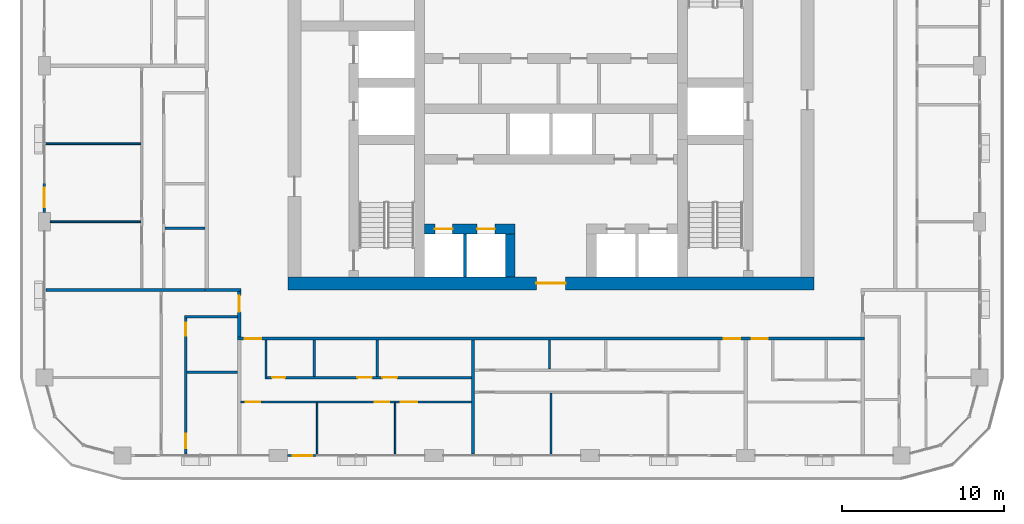
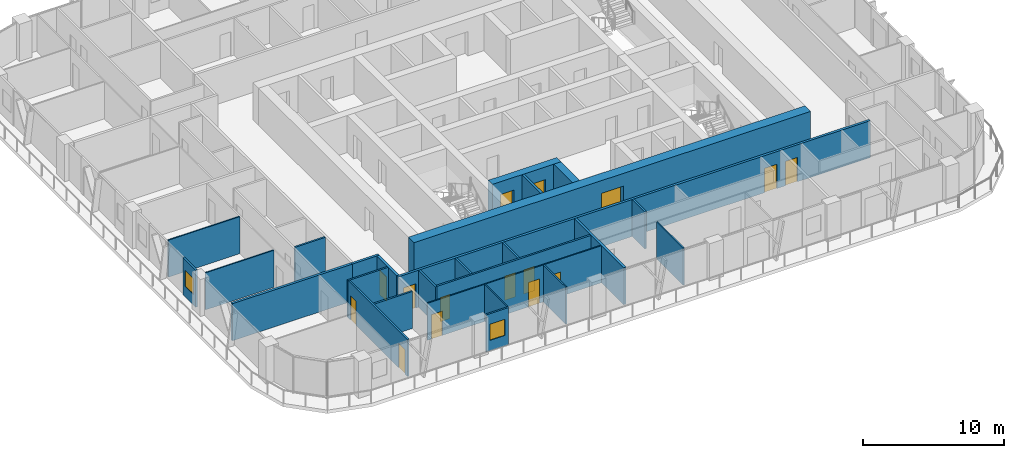
# One storey, part 9 of 22: 26 walls, 15 doors, 2 windows, 17 openings.
"""IFC4 building model written with IfcOpenShell, lengths in metres."""

from ifc_helpers import new_model, si_unit, direction, frame, frame_2d, origin, place, context, subcontext, project, spatial, rectangle, extrude, material, layer, layer_set, type_object, element, fill, save


model = new_model("IFC4")

# Units and contexts
model_context = context("Model", 3, precision=1e-05, world=origin(), true_north=direction((0.0, 1.0)))
body_context = subcontext(model_context, "Body", "Model", "MODEL_VIEW")
ifc_project = project(units=[si_unit("LENGTHUNIT", "METRE"), si_unit("AREAUNIT", "SQUARE_METRE"), si_unit("VOLUMEUNIT", "CUBIC_METRE"), si_unit("PLANEANGLEUNIT", "RADIAN"), si_unit("MASSUNIT", "GRAM", prefix="KILO")], contexts=[model_context])

# Site, building, storey
site_placement = place(None, origin())
site = spatial("IfcSite", under=ifc_project, at=site_placement, CompositionType="ELEMENT")
building_placement = place(site_placement, origin())
building = spatial("IfcBuilding", under=site, at=building_placement, Name="Madar Terraces", CompositionType="ELEMENT")
storey_placement = place(building_placement, frame((0.0, 0.0, 126.10009765625)))
storey = spatial("IfcBuildingStorey", under=building, at=storey_placement, Name="L32", CompositionType="ELEMENT", Elevation=126.10009765625)

# Wall, openings, doors
ifc_material_1 = material(Name="Concrete C70/85", Category="concrete")
ifc_layer_1 = layer(ifc_material_1, 0.60009765625)
ifc_layer_set_1 = layer_set([ifc_layer_1], Name="Concrete C70/85 (CIW3 RC wall 600)")
wall_type_1 = type_object("IfcWallType", Name="CIW3 RC wall 600", PredefinedType="SHEAR", material=ifc_layer_set_1)
wall_1_placement = place(storey_placement, frame((23.39990234375, 18.75, 0.0), z_axis=(0.0, 0.0, 1.0), x_axis=(1.0, 0.0, 0.0)))
wall_1 = element("IfcWall", 1, at=wall_1_placement, inside=storey, type_object=wall_type_1, Name="CORE SHAFT WALL", PredefinedType="SHEAR", context=body_context, shape_type="SweptSolid", body=[
    extrude(rectangle(XDim=5.60009765625, YDim=0.60009765625, at=frame_2d((2.800048828125, 0.0))), origin(), (0.0, 0.0, 1.0), 3.199951171875),
])
opening_1_placement = place(wall_1_placement, frame((0.64990234375, 0.0, 0.0)))
opening_1 = element("IfcOpeningElement", 2, at=opening_1_placement, cuts=wall_1, Name="Opening LD", PredefinedType="OPENING", context=body_context, shape_type="SweptSolid", body=[
    extrude(rectangle(XDim=1.10009765625, YDim=2.10009765625, at=frame_2d((0.550048828125, 1.050048828125))), frame((0.0, 0.31005859375, 0.0), z_axis=(0.0, -1.0, 0.0), x_axis=(1.0, 0.0, 0.0)), (0.0, 0.0, 1.0), 0.6201171875),
])
opening_2_placement = place(wall_1_placement, frame((3.25, 0.0, 0.0)))
opening_2 = element("IfcOpeningElement", 3, at=opening_2_placement, cuts=wall_1, Name="Opening LD", PredefinedType="OPENING", context=body_context, shape_type="SweptSolid", body=[
    extrude(rectangle(XDim=1.10009765625, YDim=2.10009765625, at=frame_2d((0.550048828125, 1.050048828125))), frame((0.0, 0.31005859375, 0.0), z_axis=(0.0, -1.0, 0.0), x_axis=(1.0, 0.0, 0.0)), (0.0, 0.0, 1.0), 0.6201171875),
])
ifc_material_2 = material(Name="Stainless steel panel", Category="steel")
door_type_1 = type_object("IfcDoorType", Name="Lift landing door 1100 x 2100", OperationType="DOUBLE_DOOR_SLIDING", PredefinedType="DOOR", material=ifc_material_2)
door_1_placement = place(opening_1_placement, origin())
door_1 = element("IfcDoor", 4, at=door_1_placement, inside=storey, type_object=door_type_1, Name="LIFT LANDING DOOR", OperationType="DOUBLE_DOOR_SLIDING", OverallHeight=2.10009765625, OverallWidth=1.10009765625, PredefinedType="DOOR", context=body_context, shape_type="SweptSolid", body=[
    extrude(rectangle(XDim=1.10009765625, YDim=2.10009765625, at=frame_2d((0.550048828125, 1.050048828125))), frame((0.0, 0.02490234375, 0.0), z_axis=(0.0, -1.0, 0.0), x_axis=(1.0, 0.0, 0.0)), (0.0, 0.0, 1.0), 0.050048828125),
])
fill(opening_1, door_1)
door_2_placement = place(opening_2_placement, origin())
door_2 = element("IfcDoor", 5, at=door_2_placement, inside=storey, type_object=door_type_1, Name="LIFT LANDING DOOR", OperationType="DOUBLE_DOOR_SLIDING", OverallHeight=2.10009765625, OverallWidth=1.10009765625, PredefinedType="DOOR", context=body_context, shape_type="SweptSolid", body=[
    extrude(rectangle(XDim=1.10009765625, YDim=2.10009765625, at=frame_2d((0.550048828125, 1.050048828125))), frame((0.0, 0.02490234375, 0.0), z_axis=(0.0, -1.0, 0.0), x_axis=(1.0, 0.0, 0.0)), (0.0, 0.0, 1.0), 0.050048828125),
])
fill(opening_2, door_2)

# Wall
wall_2_placement = place(storey_placement, frame((28.699951171875, 15.800048828125, 0.0), z_axis=(0.0, 0.0, 1.0), x_axis=(0.0, 1.0, 0.0)))
element("IfcWall", 6, at=wall_2_placement, inside=storey, type_object=wall_type_1, Name="CORE SHAFT WALL", PredefinedType="SHEAR", context=body_context, shape_type="SweptSolid", body=[
    extrude(rectangle(XDim=2.64990234375, YDim=0.60009765625, at=frame_2d((1.324951171875, 0.0))), origin(), (0.0, 0.0, 1.0), 3.199951171875),
])

# Wall, opening, door
ifc_material_3 = material(Name="Concrete C70/85", Category="concrete")
ifc_layer_2 = layer(ifc_material_3, 0.800048828125)
ifc_layer_set_2 = layer_set([ifc_layer_2], Name="Concrete C70/85 (CRW3 RC wall 800)")
wall_type_2 = type_object("IfcWallType", Name="CRW3 RC wall 800", PredefinedType="SHEAR", material=ifc_layer_set_2)
wall_3_placement = place(storey_placement, frame((15.0, 15.39990234375, 0.0), z_axis=(0.0, 0.0, 1.0), x_axis=(1.0, 0.0, 0.0)))
wall_3 = element("IfcWall", 7, at=wall_3_placement, inside=storey, type_object=wall_type_2, Name="CORE OUTER WALL", PredefinedType="SHEAR", context=body_context, shape_type="SweptSolid", body=[
    extrude(rectangle(XDim=32.39990234375, YDim=0.800048828125, at=frame_2d((16.199951171875, 0.0))), origin(), (0.0, 0.0, 1.0), 3.199951171875),
])
opening_3_placement = place(wall_3_placement, frame((15.300048828125, 0.0, 0.0)))
opening_3 = element("IfcOpeningElement", 8, at=opening_3_placement, cuts=wall_3, Name="Opening KD1", PredefinedType="OPENING", context=body_context, shape_type="SweptSolid", body=[
    extrude(rectangle(XDim=1.800048828125, YDim=2.10009765625, at=frame_2d((0.89990234375, 1.050048828125))), frame((0.0, 0.409912109375, 0.0), z_axis=(0.0, -1.0, 0.0), x_axis=(1.0, 0.0, 0.0)), (0.0, 0.0, 1.0), 0.820068359375),
])
ifc_material_4 = material(Name="Steel door leaf", Category="steel")
door_type_2 = type_object("IfcDoorType", Name="Lobby door pair 1800 x 2100", OperationType="DOUBLE_DOOR_SINGLE_SWING", PredefinedType="DOOR", material=ifc_material_4)
door_3_placement = place(opening_3_placement, frame((1.800048828125, 0.0, 0.0), z_axis=(0.0, 0.0, 1.0), x_axis=(-1.0, 0.0, 0.0)))
door_3 = element("IfcDoor", 9, at=door_3_placement, inside=storey, type_object=door_type_2, Name="LIFT LOBBY DOOR", OperationType="DOUBLE_DOOR_SINGLE_SWING", OverallHeight=2.10009765625, OverallWidth=1.800048828125, PredefinedType="DOOR", context=body_context, shape_type="SweptSolid", body=[
    extrude(rectangle(XDim=1.800048828125, YDim=2.10009765625, at=frame_2d((0.89990234375, 1.050048828125))), frame((0.0, 0.02490234375, 0.0), z_axis=(0.0, -1.0, 0.0), x_axis=(1.0, 0.0, 0.0)), (0.0, 0.0, 1.0), 0.050048828125),
])
fill(opening_3, door_3)

# Wall
ifc_material_5 = material(Name="Concrete C40/50", Category="concrete")
ifc_layer_3 = layer(ifc_material_5, 0.199951171875)
ifc_layer_set_3 = layer_set([ifc_layer_3], Name="Core shaft dividing wall 200 C40/50")
wall_type_3 = type_object("IfcWallType", Name="Core shaft dividing wall 200 C40/50", PredefinedType="SOLIDWALL", material=ifc_layer_set_3)
wall_4_placement = place(storey_placement, frame((25.89990234375, 15.800048828125, 0.0), z_axis=(0.0, 0.0, 1.0), x_axis=(0.0, 1.0, 0.0)))
element("IfcWall", 10, at=wall_4_placement, inside=storey, type_object=wall_type_3, Name="SHAFT DIVIDING WALL", PredefinedType="SOLIDWALL", context=body_context, shape_type="SweptSolid", body=[
    extrude(rectangle(XDim=2.64990234375, YDim=0.199951171875, at=frame_2d((1.324951171875, 0.0))), origin(), (0.0, 0.0, 1.0), 3.199951171875),
])

# Wall, opening, window
ifc_material_6 = material(Name="Aluminium composite panel, black, over insulated backing", Category="aluminium")
ifc_layer_4 = layer(ifc_material_6, 0.14990234375)
ifc_layer_set_4 = layer_set([ifc_layer_4], Name="Facade bay panel 150")
wall_type_4 = type_object("IfcWallType", Name="Facade bay panel 150", PredefinedType="SOLIDWALL", material=ifc_layer_set_4)
wall_5_placement = place(storey_placement, frame((14.97509765625, 4.800048828125, 0.0), z_axis=(0.0, 0.0, 1.0), x_axis=(1.0, 0.0, 0.0)))
wall_5 = element("IfcWall", 11, at=wall_5_placement, inside=storey, type_object=wall_type_4, Name="Facade bay panel", PredefinedType="SOLIDWALL", context=body_context, shape_type="SweptSolid", body=[
    extrude(rectangle(XDim=1.824951171875, YDim=0.14990234375, at=frame_2d((0.91259765625, 0.0))), origin(), (0.0, 0.0, 1.0), 3.199951171875),
])
opening_4_placement = place(wall_5_placement, frame((0.3125, 0.0, 0.89990234375)))
opening_4 = element("IfcOpeningElement", 12, at=opening_4_placement, cuts=wall_5, Name="Opening W1", PredefinedType="OPENING", context=body_context, shape_type="SweptSolid", body=[
    extrude(rectangle(XDim=1.199951171875, YDim=1.39990234375, at=frame_2d((0.60009765625, 0.699951171875))), frame((0.0, 0.0849609375, 0.0), z_axis=(0.0, -1.0, 0.0), x_axis=(1.0, 0.0, 0.0)), (0.0, 0.0, 1.0), 0.169921875),
])
ifc_material_7 = material(Name="Glass, clear, with black aluminium frame", Category="aluminium")
window_type = type_object("IfcWindowType", Name="Vent window 1200 x 1400", PartitioningType="SINGLE_PANEL", PredefinedType="WINDOW", material=ifc_material_7)
window_1_placement = place(opening_4_placement, origin())
window_1 = element("IfcWindow", 13, at=window_1_placement, inside=storey, type_object=window_type, Name="Operable vent window", OverallHeight=1.39990234375, OverallWidth=1.199951171875, PartitioningType="SINGLE_PANEL", PredefinedType="WINDOW", context=body_context, shape_type="SweptSolid", body=[
    extrude(rectangle(XDim=1.199951171875, YDim=1.39990234375, at=frame_2d((0.60009765625, 0.699951171875))), frame((0.0, 0.030029296875, 0.0), z_axis=(0.0, -1.0, 0.0), x_axis=(1.0, 0.0, 0.0)), (0.0, 0.0, 1.0), 0.06005859375),
])
fill(opening_4, window_1)

wall_6_placement = place(storey_placement, frame((0.0, 21.60009765625, 0.0), z_axis=(0.0, 0.0, 1.0), x_axis=(0.0, -1.0, 0.0)))
wall_6 = element("IfcWall", 14, at=wall_6_placement, inside=storey, type_object=wall_type_4, Name="Facade bay panel", PredefinedType="SOLIDWALL", context=body_context, shape_type="SweptSolid", body=[
    extrude(rectangle(XDim=1.8251953125, YDim=0.14990234375, at=frame_2d((0.91259765625, 0.0))), origin(), (0.0, 0.0, 1.0), 3.199951171875),
])
opening_5_placement = place(wall_6_placement, frame((0.3125, 0.0, 0.89990234375)))
opening_5 = element("IfcOpeningElement", 15, at=opening_5_placement, cuts=wall_6, Name="Opening W1", PredefinedType="OPENING", context=body_context, shape_type="SweptSolid", body=[
    extrude(rectangle(XDim=1.199951171875, YDim=1.39990234375, at=frame_2d((0.60009765625, 0.699951171875))), frame((0.0, 0.0849609375, 0.0), z_axis=(0.0, -1.0, 0.0), x_axis=(1.0, 0.0, 0.0)), (0.0, 0.0, 1.0), 0.169921875),
])
window_2_placement = place(opening_5_placement, origin())
window_2 = element("IfcWindow", 16, at=window_2_placement, inside=storey, type_object=window_type, Name="Operable vent window", OverallHeight=1.39990234375, OverallWidth=1.199951171875, PartitioningType="SINGLE_PANEL", PredefinedType="WINDOW", context=body_context, shape_type="SweptSolid", body=[
    extrude(rectangle(XDim=1.199951171875, YDim=1.39990234375, at=frame_2d((0.60009765625, 0.699951171875))), frame((0.0, 0.030029296875, 0.0), z_axis=(0.0, -1.0, 0.0), x_axis=(1.0, 0.0, 0.0)), (0.0, 0.0, 1.0), 0.06005859375),
])
fill(opening_5, window_2)

# Walls
ifc_material_8 = material(Name="Gypsum board on steel studs", Category="steel")
ifc_layer_5 = layer(ifc_material_8, 0.10009765625)
ifc_layer_set_5 = layer_set([ifc_layer_5], Name="Flat partition 100")
wall_type_5 = type_object("IfcWallType", Name="Flat partition 100", PredefinedType="PARTITIONING", material=ifc_layer_set_5)
for number, where, z_axis, x_axis, name in (
    (17, (16.800048828125, 8.050048828125, 0.0), (0.0, 0.0, 1.0), (0.0, -1.0, 0.0), "Flat partition 100"),
    (18, (21.60009765625, 8.050048828125, 0.0), (0.0, 0.0, 1.0), (0.0, -1.0, 0.0), "Flat partition 100"),
):
    element("IfcWall", number, at=place(storey_placement, frame(where, z_axis=z_axis, x_axis=x_axis)), inside=storey, type_object=wall_type_5, Name=name, PredefinedType="PARTITIONING", context=body_context, shape_type="SweptSolid", body=[
        extrude(rectangle(XDim=3.150146484375, YDim=0.10009765625, at=frame_2d((1.5751953125, 0.0))), origin(), (0.0, 0.0, 1.0), 3.199951171875),
    ])

# Wall, openings, doors
wall_7_placement = place(storey_placement, frame((26.300048828125, 8.10009765625, 0.0), z_axis=(0.0, 0.0, 1.0), x_axis=(-1.0, 0.0, 0.0)))
wall_7 = element("IfcWall", 19, at=wall_7_placement, inside=storey, type_object=wall_type_5, Name="Flat partition 100", PredefinedType="PARTITIONING", context=body_context, shape_type="SweptSolid", body=[
    extrude(rectangle(XDim=14.199951171875, YDim=0.10009765625, at=frame_2d((7.10009765625, 0.0))), origin(), (0.0, 0.0, 1.0), 3.199951171875),
])
opening_6_placement = place(wall_7_placement, frame((13.0, 0.0, 0.0)))
opening_6 = element("IfcOpeningElement", 20, at=opening_6_placement, cuts=wall_7, Name="Opening D2", PredefinedType="OPENING", context=body_context, shape_type="SweptSolid", body=[
    extrude(rectangle(XDim=0.89990234375, YDim=2.10009765625, at=frame_2d((0.449951171875, 1.050048828125))), frame((0.0, 0.06005859375, 0.0), z_axis=(0.0, -1.0, 0.0), x_axis=(1.0, 0.0, 0.0)), (0.0, 0.0, 1.0), 0.1201171875),
])
opening_7_placement = place(wall_7_placement, frame((5.050048828125, 0.0, 0.0)))
opening_7 = element("IfcOpeningElement", 21, at=opening_7_placement, cuts=wall_7, Name="Opening D2", PredefinedType="OPENING", context=body_context, shape_type="SweptSolid", body=[
    extrude(rectangle(XDim=0.89990234375, YDim=2.10009765625, at=frame_2d((0.449951171875, 1.050048828125))), frame((0.0, 0.06005859375, 0.0), z_axis=(0.0, -1.0, 0.0), x_axis=(1.0, 0.0, 0.0)), (0.0, 0.0, 1.0), 0.1201171875),
])
opening_8_placement = place(wall_7_placement, frame((3.35009765625, 0.0, 0.0)))
opening_8 = element("IfcOpeningElement", 22, at=opening_8_placement, cuts=wall_7, Name="Opening D3", PredefinedType="OPENING", context=body_context, shape_type="SweptSolid", body=[
    extrude(rectangle(XDim=1.0, YDim=2.10009765625, at=frame_2d((0.5, 1.050048828125))), frame((0.0, 0.06005859375, 0.0), z_axis=(0.0, -1.0, 0.0), x_axis=(1.0, 0.0, 0.0)), (0.0, 0.0, 1.0), 0.1201171875),
])
ifc_material_9 = material(Name="Timber door leaf", Category="wood")
door_type_3 = type_object("IfcDoorType", Name="Flat living room door 1000", OperationType="NOTDEFINED", PredefinedType="DOOR", material=ifc_material_9)
door_4_placement = place(opening_8_placement, origin())
door_4 = element("IfcDoor", 23, at=door_4_placement, inside=storey, type_object=door_type_3, Name="Flat living room door 1000", OperationType="SINGLE_SWING_RIGHT", OverallHeight=2.10009765625, OverallWidth=1.0, PredefinedType="DOOR", context=body_context, shape_type="SweptSolid", body=[
    extrude(rectangle(XDim=1.0, YDim=2.10009765625, at=frame_2d((0.5, 1.050048828125))), frame((0.0, 0.02490234375, 0.0), z_axis=(0.0, -1.0, 0.0), x_axis=(1.0, 0.0, 0.0)), (0.0, 0.0, 1.0), 0.050048828125),
])
fill(opening_8, door_4)
ifc_material_10 = material(Name="Timber door leaf", Category="wood")
door_type_4 = type_object("IfcDoorType", Name="Flat room door 900", OperationType="NOTDEFINED", PredefinedType="DOOR", material=ifc_material_10)
door_5_placement = place(opening_6_placement, origin())
door_5 = element("IfcDoor", 24, at=door_5_placement, inside=storey, type_object=door_type_4, Name="Flat room door 900", OperationType="SINGLE_SWING_RIGHT", OverallHeight=2.10009765625, OverallWidth=0.89990234375, PredefinedType="DOOR", context=body_context, shape_type="SweptSolid", body=[
    extrude(rectangle(XDim=0.89990234375, YDim=2.10009765625, at=frame_2d((0.449951171875, 1.050048828125))), frame((0.0, 0.02490234375, 0.0), z_axis=(0.0, -1.0, 0.0), x_axis=(1.0, 0.0, 0.0)), (0.0, 0.0, 1.0), 0.050048828125),
])
fill(opening_6, door_5)
door_6_placement = place(opening_7_placement, origin())
door_6 = element("IfcDoor", 25, at=door_6_placement, inside=storey, type_object=door_type_4, Name="Flat room door 900", OperationType="SINGLE_SWING_LEFT", OverallHeight=2.10009765625, OverallWidth=0.89990234375, PredefinedType="DOOR", context=body_context, shape_type="SweptSolid", body=[
    extrude(rectangle(XDim=0.89990234375, YDim=2.10009765625, at=frame_2d((0.449951171875, 1.050048828125))), frame((0.0, 0.02490234375, 0.0), z_axis=(0.0, -1.0, 0.0), x_axis=(1.0, 0.0, 0.0)), (0.0, 0.0, 1.0), 0.050048828125),
])
fill(opening_7, door_6)

# Walls
wall_8_placement = place(storey_placement, frame((31.199951171875, 8.64990234375, 0.0), z_axis=(0.0, 0.0, 1.0), x_axis=(0.0, -1.0, 0.0)))
element("IfcWall", 26, at=wall_8_placement, inside=storey, type_object=wall_type_5, Name="Flat partition 100", PredefinedType="PARTITIONING", context=body_context, shape_type="SweptSolid", body=[
    extrude(rectangle(XDim=3.75, YDim=0.10009765625, at=frame_2d((1.875, 0.0))), origin(), (0.0, 0.0, 1.0), 3.199951171875),
])
wall_9_placement = place(storey_placement, frame((5.949951171875, 24.0, 0.0), z_axis=(0.0, 0.0, 1.0), x_axis=(-1.0, 0.0, 0.0)))
element("IfcWall", 27, at=wall_9_placement, inside=storey, type_object=wall_type_5, Name="Flat partition 100", PredefinedType="PARTITIONING", context=body_context, shape_type="SweptSolid", body=[
    extrude(rectangle(XDim=5.849853515625, YDim=0.10009765625, at=frame_2d((2.9248046875, 0.0))), origin(), (0.0, 0.0, 1.0), 3.199951171875),
])
wall_10_placement = place(storey_placement, frame((5.949951171875, 19.199951171875, 0.0), z_axis=(0.0, 0.0, 1.0), x_axis=(-1.0, 0.0, 0.0)))
element("IfcWall", 28, at=wall_10_placement, inside=storey, type_object=wall_type_5, Name="Flat partition 100", PredefinedType="PARTITIONING", context=body_context, shape_type="SweptSolid", body=[
    extrude(rectangle(XDim=5.574951171875, YDim=0.10009765625, at=frame_2d((2.78759765625, 0.0))), origin(), (0.0, 0.0, 1.0), 3.199951171875),
])

# Wall, openings, doors
ifc_material_11 = material(Name="Lightweight blockwork", Category="masonry")
ifc_layer_6 = layer(ifc_material_11, 0.199951171875)
ifc_layer_set_6 = layer_set([ifc_layer_6], Name="Flat party and entrance wall 200")
wall_type_6 = type_object("IfcWallType", Name="Flat party and entrance wall 200", PredefinedType="PARTITIONING", material=ifc_layer_set_6)
wall_11_placement = place(storey_placement, frame((50.5, 12.0, 0.0), z_axis=(0.0, 0.0, 1.0), x_axis=(-1.0, 0.0, 0.0)))
wall_11 = element("IfcWall", 29, at=wall_11_placement, inside=storey, type_object=wall_type_6, Name="Flat party and entrance wall 200", PredefinedType="PARTITIONING", context=body_context, shape_type="SweptSolid", body=[
    extrude(rectangle(XDim=38.60009765625, YDim=0.199951171875, at=frame_2d((19.300048828125, 0.0))), origin(), (0.0, 0.0, 1.0), 3.199951171875),
])
opening_9_placement = place(wall_11_placement, frame((37.14990234375, 0.0, 0.0)))
opening_9 = element("IfcOpeningElement", 30, at=opening_9_placement, cuts=wall_11, Name="Opening D1", PredefinedType="OPENING", context=body_context, shape_type="SweptSolid", body=[
    extrude(rectangle(XDim=1.0, YDim=2.10009765625, at=frame_2d((0.5, 1.050048828125))), frame((0.0, 0.10986328125, 0.0), z_axis=(0.0, -1.0, 0.0), x_axis=(1.0, 0.0, 0.0)), (0.0, 0.0, 1.0), 0.219970703125),
])
opening_10_placement = place(wall_11_placement, frame((7.64990234375, 0.0, 0.0)))
opening_10 = element("IfcOpeningElement", 31, at=opening_10_placement, cuts=wall_11, Name="Opening D1", PredefinedType="OPENING", context=body_context, shape_type="SweptSolid", body=[
    extrude(rectangle(XDim=1.0, YDim=2.10009765625, at=frame_2d((0.5, 1.050048828125))), frame((0.0, 0.10986328125, 0.0), z_axis=(0.0, -1.0, 0.0), x_axis=(1.0, 0.0, 0.0)), (0.0, 0.0, 1.0), 0.219970703125),
])
opening_11_placement = place(wall_11_placement, frame((5.949951171875, 0.0, 0.0)))
opening_11 = element("IfcOpeningElement", 32, at=opening_11_placement, cuts=wall_11, Name="Opening D1", PredefinedType="OPENING", context=body_context, shape_type="SweptSolid", body=[
    extrude(rectangle(XDim=1.0, YDim=2.10009765625, at=frame_2d((0.5, 1.050048828125))), frame((0.0, 0.10986328125, 0.0), z_axis=(0.0, -1.0, 0.0), x_axis=(1.0, 0.0, 0.0)), (0.0, 0.0, 1.0), 0.219970703125),
])
ifc_material_12 = material(Name="Timber fire door leaf", Category="wood")
door_type_5 = type_object("IfcDoorType", Name="Flat entrance door 1000 FD30S", OperationType="NOTDEFINED", PredefinedType="DOOR", material=ifc_material_12)
door_7_placement = place(opening_9_placement, origin())
door_7 = element("IfcDoor", 33, at=door_7_placement, inside=storey, type_object=door_type_5, Name="Flat entrance door 1000 FD30S", OperationType="SINGLE_SWING_RIGHT", OverallHeight=2.10009765625, OverallWidth=1.0, PredefinedType="DOOR", context=body_context, shape_type="SweptSolid", body=[
    extrude(rectangle(XDim=1.0, YDim=2.10009765625, at=frame_2d((0.5, 1.050048828125))), frame((0.0, 0.02490234375, 0.0), z_axis=(0.0, -1.0, 0.0), x_axis=(1.0, 0.0, 0.0)), (0.0, 0.0, 1.0), 0.050048828125),
])
fill(opening_9, door_7)
door_8_placement = place(opening_10_placement, origin())
door_8 = element("IfcDoor", 34, at=door_8_placement, inside=storey, type_object=door_type_5, Name="Flat entrance door 1000 FD30S", OperationType="SINGLE_SWING_LEFT", OverallHeight=2.10009765625, OverallWidth=1.0, PredefinedType="DOOR", context=body_context, shape_type="SweptSolid", body=[
    extrude(rectangle(XDim=1.0, YDim=2.10009765625, at=frame_2d((0.5, 1.050048828125))), frame((0.0, 0.02490234375, 0.0), z_axis=(0.0, -1.0, 0.0), x_axis=(1.0, 0.0, 0.0)), (0.0, 0.0, 1.0), 0.050048828125),
])
fill(opening_10, door_8)
door_9_placement = place(opening_11_placement, origin())
door_9 = element("IfcDoor", 35, at=door_9_placement, inside=storey, type_object=door_type_5, Name="Flat entrance door 1000 FD30S", OperationType="SINGLE_SWING_RIGHT", OverallHeight=2.10009765625, OverallWidth=1.0, PredefinedType="DOOR", context=body_context, shape_type="SweptSolid", body=[
    extrude(rectangle(XDim=1.0, YDim=2.10009765625, at=frame_2d((0.5, 1.050048828125))), frame((0.0, 0.02490234375, 0.0), z_axis=(0.0, -1.0, 0.0), x_axis=(1.0, 0.0, 0.0)), (0.0, 0.0, 1.0), 0.050048828125),
])
fill(opening_11, door_9)

# Wall
wall_12_placement = place(storey_placement, frame((9.89990234375, 15.0, 0.0), z_axis=(0.0, 0.0, 1.0), x_axis=(1.0, 0.0, 0.0)))
element("IfcWall", 36, at=wall_12_placement, inside=storey, type_object=wall_type_6, Name="Flat party and entrance wall 200", PredefinedType="PARTITIONING", context=body_context, shape_type="SweptSolid", body=[
    extrude(rectangle(XDim=2.2001953125, YDim=0.199951171875, at=frame_2d((1.10009765625, 0.0))), origin(), (0.0, 0.0, 1.0), 3.199951171875),
])

# Wall, opening, door
wall_13_placement = place(storey_placement, frame((12.0, 12.10009765625, 0.0), z_axis=(0.0, 0.0, 1.0), x_axis=(0.0, 1.0, 0.0)))
wall_13 = element("IfcWall", 37, at=wall_13_placement, inside=storey, type_object=wall_type_6, Name="Flat party and entrance wall 200", PredefinedType="PARTITIONING", context=body_context, shape_type="SweptSolid", body=[
    extrude(rectangle(XDim=2.7998046875, YDim=0.199951171875, at=frame_2d((1.39990234375, 0.0))), origin(), (0.0, 0.0, 1.0), 3.199951171875),
])
opening_12_placement = place(wall_13_placement, frame((1.550048828125, 0.0, 0.0)))
opening_12 = element("IfcOpeningElement", 38, at=opening_12_placement, cuts=wall_13, Name="Opening D1", PredefinedType="OPENING", context=body_context, shape_type="SweptSolid", body=[
    extrude(rectangle(XDim=1.0, YDim=2.10009765625, at=frame_2d((0.5, 1.050048828125))), frame((0.0, 0.10986328125, 0.0), z_axis=(0.0, -1.0, 0.0), x_axis=(1.0, 0.0, 0.0)), (0.0, 0.0, 1.0), 0.219970703125),
])
door_10_placement = place(opening_12_placement, origin())
door_10 = element("IfcDoor", 39, at=door_10_placement, inside=storey, type_object=door_type_5, Name="Flat entrance door 1000 FD30S", OperationType="SINGLE_SWING_RIGHT", OverallHeight=2.10009765625, OverallWidth=1.0, PredefinedType="DOOR", context=body_context, shape_type="SweptSolid", body=[
    extrude(rectangle(XDim=1.0, YDim=2.10009765625, at=frame_2d((0.5, 1.050048828125))), frame((0.0, 0.02490234375, 0.0), z_axis=(0.0, -1.0, 0.0), x_axis=(1.0, 0.0, 0.0)), (0.0, 0.0, 1.0), 0.050048828125),
])
fill(opening_12, door_10)

# Walls
wall_14_placement = place(storey_placement, frame((26.39990234375, 11.89990234375, 0.0), z_axis=(0.0, 0.0, 1.0), x_axis=(0.0, -1.0, 0.0)))
element("IfcWall", 40, at=wall_14_placement, inside=storey, type_object=wall_type_6, Name="Flat party and entrance wall 200", PredefinedType="PARTITIONING", context=body_context, shape_type="SweptSolid", body=[
    extrude(rectangle(XDim=7.0, YDim=0.199951171875, at=frame_2d((3.5, 0.0))), origin(), (0.0, 0.0, 1.0), 3.199951171875),
])
wall_15_placement = place(storey_placement, frame((0.10009765625, 15.0, 0.0), z_axis=(0.0, 0.0, 1.0), x_axis=(1.0, 0.0, 0.0)))
element("IfcWall", 41, at=wall_15_placement, inside=storey, type_object=wall_type_6, Name="Flat party and entrance wall 200", PredefinedType="PARTITIONING", context=body_context, shape_type="SweptSolid", body=[
    extrude(rectangle(XDim=9.7998046875, YDim=0.199951171875, at=frame_2d((4.89990234375, 0.0))), origin(), (0.0, 0.0, 1.0), 3.199951171875),
])
ifc_material_13 = material(Name="Lightweight blockwork", Category="masonry")
ifc_layer_7 = layer(ifc_material_13, 0.14990234375)
ifc_layer_set_7 = layer_set([ifc_layer_7], Name="Flat wet-room partition 150")
wall_type_7 = type_object("IfcWallType", Name="Flat wet-room partition 150", PredefinedType="PARTITIONING", material=ifc_layer_set_7)
for number, where, z_axis, x_axis, name in (
    (42, (16.626953125, 11.89990234375, 0.0), (0.0, 0.0, 1.0), (0.0, -1.0, 0.0), "Flat wet-room partition 150"),
    (43, (20.49609375, 11.89990234375, 0.0), (0.0, 0.0, 1.0), (0.0, -1.0, 0.0), "Flat wet-room partition 150"),
):
    element("IfcWall", number, at=place(storey_placement, frame(where, z_axis=z_axis, x_axis=x_axis)), inside=storey, type_object=wall_type_7, Name=name, PredefinedType="PARTITIONING", context=body_context, shape_type="SweptSolid", body=[
        extrude(rectangle(XDim=2.224853515625, YDim=0.14990234375, at=frame_2d((1.1123046875, 0.0))), origin(), (0.0, 0.0, 1.0), 3.199951171875),
    ])
wall_16_placement = place(storey_placement, frame((13.64990234375, 11.89990234375, 0.0), z_axis=(0.0, 0.0, 1.0), x_axis=(0.0, -1.0, 0.0)))
element("IfcWall", 44, at=wall_16_placement, inside=storey, type_object=wall_type_7, Name="Flat wet-room partition 150", PredefinedType="PARTITIONING", context=body_context, shape_type="SweptSolid", body=[
    extrude(rectangle(XDim=2.375, YDim=0.14990234375, at=frame_2d((1.1875, 0.0))), origin(), (0.0, 0.0, 1.0), 3.199951171875),
])

# Wall, openings, doors
wall_17_placement = place(storey_placement, frame((13.72509765625, 9.60009765625, 0.0), z_axis=(0.0, 0.0, 1.0), x_axis=(1.0, 0.0, 0.0)))
wall_17 = element("IfcWall", 45, at=wall_17_placement, inside=storey, type_object=wall_type_7, Name="Flat wet-room partition 150", PredefinedType="PARTITIONING", context=body_context, shape_type="SweptSolid", body=[
    extrude(rectangle(XDim=12.574951171875, YDim=0.14990234375, at=frame_2d((6.28759765625, 0.0))), origin(), (0.0, 0.0, 1.0), 3.199951171875),
])
opening_13_placement = place(wall_17_placement, frame((0.300048828125, 0.0, 0.0)))
opening_13 = element("IfcOpeningElement", 46, at=opening_13_placement, cuts=wall_17, Name="Opening D4", PredefinedType="OPENING", context=body_context, shape_type="SweptSolid", body=[
    extrude(rectangle(XDim=0.800048828125, YDim=2.10009765625, at=frame_2d((0.39990234375, 1.050048828125))), frame((0.0, 0.0849609375, 0.0), z_axis=(0.0, -1.0, 0.0), x_axis=(1.0, 0.0, 0.0)), (0.0, 0.0, 1.0), 0.169921875),
])
opening_14_placement = place(wall_17_placement, frame((5.546142578125, 0.0, 0.0)))
opening_14 = element("IfcOpeningElement", 47, at=opening_14_placement, cuts=wall_17, Name="Opening D5", PredefinedType="OPENING", context=body_context, shape_type="SweptSolid", body=[
    extrude(rectangle(XDim=0.89990234375, YDim=2.10009765625, at=frame_2d((0.449951171875, 1.050048828125))), frame((0.0, 0.0849609375, 0.0), z_axis=(0.0, -1.0, 0.0), x_axis=(1.0, 0.0, 0.0)), (0.0, 0.0, 1.0), 0.169921875),
])
opening_15_placement = place(wall_17_placement, frame((7.09619140625, 0.0, 0.0)))
opening_15 = element("IfcOpeningElement", 48, at=opening_15_placement, cuts=wall_17, Name="Opening D2", PredefinedType="OPENING", context=body_context, shape_type="SweptSolid", body=[
    extrude(rectangle(XDim=0.89990234375, YDim=2.10009765625, at=frame_2d((0.449951171875, 1.050048828125))), frame((0.0, 0.0849609375, 0.0), z_axis=(0.0, -1.0, 0.0), x_axis=(1.0, 0.0, 0.0)), (0.0, 0.0, 1.0), 0.169921875),
])
ifc_material_14 = material(Name="Timber door leaf", Category="wood")
door_type_6 = type_object("IfcDoorType", Name="Flat accessible bathroom door 900", OperationType="NOTDEFINED", PredefinedType="DOOR", material=ifc_material_14)
door_11_placement = place(opening_14_placement, origin())
door_11 = element("IfcDoor", 49, at=door_11_placement, inside=storey, type_object=door_type_6, Name="Flat accessible bathroom door 900", OperationType="SINGLE_SWING_RIGHT", OverallHeight=2.10009765625, OverallWidth=0.89990234375, PredefinedType="DOOR", context=body_context, shape_type="SweptSolid", body=[
    extrude(rectangle(XDim=0.89990234375, YDim=2.10009765625, at=frame_2d((0.449951171875, 1.050048828125))), frame((0.0, 0.02490234375, 0.0), z_axis=(0.0, -1.0, 0.0), x_axis=(1.0, 0.0, 0.0)), (0.0, 0.0, 1.0), 0.050048828125),
])
fill(opening_14, door_11)
ifc_material_15 = material(Name="Timber door leaf", Category="wood")
door_type_7 = type_object("IfcDoorType", Name="Flat bathroom door 800", OperationType="NOTDEFINED", PredefinedType="DOOR", material=ifc_material_15)
door_12_placement = place(opening_13_placement, origin())
door_12 = element("IfcDoor", 50, at=door_12_placement, inside=storey, type_object=door_type_7, Name="Flat bathroom door 800", OperationType="SINGLE_SWING_LEFT", OverallHeight=2.10009765625, OverallWidth=0.800048828125, PredefinedType="DOOR", context=body_context, shape_type="SweptSolid", body=[
    extrude(rectangle(XDim=0.800048828125, YDim=2.10009765625, at=frame_2d((0.39990234375, 1.050048828125))), frame((0.0, 0.02490234375, 0.0), z_axis=(0.0, -1.0, 0.0), x_axis=(1.0, 0.0, 0.0)), (0.0, 0.0, 1.0), 0.050048828125),
])
fill(opening_13, door_12)
door_13_placement = place(opening_15_placement, origin())
door_13 = element("IfcDoor", 51, at=door_13_placement, inside=storey, type_object=door_type_4, Name="Flat room door 900", OperationType="SINGLE_SWING_LEFT", OverallHeight=2.10009765625, OverallWidth=0.89990234375, PredefinedType="DOOR", context=body_context, shape_type="SweptSolid", body=[
    extrude(rectangle(XDim=0.89990234375, YDim=2.10009765625, at=frame_2d((0.449951171875, 1.050048828125))), frame((0.0, 0.02490234375, 0.0), z_axis=(0.0, -1.0, 0.0), x_axis=(1.0, 0.0, 0.0)), (0.0, 0.0, 1.0), 0.050048828125),
])
fill(opening_15, door_13)

# Walls
wall_18_placement = place(storey_placement, frame((31.107666015625, 11.89990234375, 0.0), z_axis=(0.0, 0.0, 1.0), x_axis=(0.0, -1.0, 0.0)))
element("IfcWall", 52, at=wall_18_placement, inside=storey, type_object=wall_type_7, Name="Flat wet-room partition 150", PredefinedType="PARTITIONING", context=body_context, shape_type="SweptSolid", body=[
    extrude(rectangle(XDim=1.77490234375, YDim=0.14990234375, at=frame_2d((0.887451171875, 0.0))), origin(), (0.0, 0.0, 1.0), 3.199951171875),
])
wall_19_placement = place(storey_placement, frame((9.89990234375, 18.78466796875, 0.0), z_axis=(0.0, 0.0, 1.0), x_axis=(-1.0, 0.0, 0.0)))
element("IfcWall", 53, at=wall_19_placement, inside=storey, type_object=wall_type_7, Name="Flat wet-room partition 150", PredefinedType="PARTITIONING", context=body_context, shape_type="SweptSolid", body=[
    extrude(rectangle(XDim=2.474853515625, YDim=0.14990234375, at=frame_2d((1.2373046875, 0.0))), origin(), (0.0, 0.0, 1.0), 3.199951171875),
])
wall_20_placement = place(storey_placement, frame((11.89990234375, 9.925048828125, 0.0), z_axis=(0.0, 0.0, 1.0), x_axis=(-1.0, 0.0, 0.0)))
element("IfcWall", 54, at=wall_20_placement, inside=storey, type_object=wall_type_7, Name="Flat wet-room partition 150", PredefinedType="PARTITIONING", context=body_context, shape_type="SweptSolid", body=[
    extrude(rectangle(XDim=3.125, YDim=0.14990234375, at=frame_2d((1.5625, 0.0))), origin(), (0.0, 0.0, 1.0), 3.199951171875),
])
wall_21_placement = place(storey_placement, frame((11.89990234375, 13.35009765625, 0.0), z_axis=(0.0, 0.0, 1.0), x_axis=(-1.0, 0.0, 0.0)))
element("IfcWall", 55, at=wall_21_placement, inside=storey, type_object=wall_type_7, Name="Flat wet-room partition 150", PredefinedType="PARTITIONING", context=body_context, shape_type="SweptSolid", body=[
    extrude(rectangle(XDim=3.27490234375, YDim=0.14990234375, at=frame_2d((1.637451171875, 0.0))), origin(), (0.0, 0.0, 1.0), 3.199951171875),
])

# Wall, openings, doors
wall_22_placement = place(storey_placement, frame((8.699951171875, 13.27490234375, 0.0), z_axis=(0.0, 0.0, 1.0), x_axis=(0.0, -1.0, 0.0)))
wall_22 = element("IfcWall", 56, at=wall_22_placement, inside=storey, type_object=wall_type_7, Name="Flat wet-room partition 150", PredefinedType="PARTITIONING", context=body_context, shape_type="SweptSolid", body=[
    extrude(rectangle(XDim=8.375, YDim=0.14990234375, at=frame_2d((4.1875, 0.0))), origin(), (0.0, 0.0, 1.0), 3.199951171875),
])
opening_16_placement = place(wall_22_placement, frame((0.300048828125, 0.0, 0.0)))
opening_16 = element("IfcOpeningElement", 57, at=opening_16_placement, cuts=wall_22, Name="Opening D4", PredefinedType="OPENING", context=body_context, shape_type="SweptSolid", body=[
    extrude(rectangle(XDim=0.800048828125, YDim=2.10009765625, at=frame_2d((0.39990234375, 1.050048828125))), frame((0.0, 0.0849609375, 0.0), z_axis=(0.0, -1.0, 0.0), x_axis=(1.0, 0.0, 0.0)), (0.0, 0.0, 1.0), 0.169921875),
])
opening_17_placement = place(wall_22_placement, frame((7.125, 0.0, 0.0)))
opening_17 = element("IfcOpeningElement", 58, at=opening_17_placement, cuts=wall_22, Name="Opening D2", PredefinedType="OPENING", context=body_context, shape_type="SweptSolid", body=[
    extrude(rectangle(XDim=0.89990234375, YDim=2.10009765625, at=frame_2d((0.449951171875, 1.050048828125))), frame((0.0, 0.0849609375, 0.0), z_axis=(0.0, -1.0, 0.0), x_axis=(1.0, 0.0, 0.0)), (0.0, 0.0, 1.0), 0.169921875),
])
door_14_placement = place(opening_16_placement, origin())
door_14 = element("IfcDoor", 59, at=door_14_placement, inside=storey, type_object=door_type_7, Name="Flat bathroom door 800", OperationType="SINGLE_SWING_LEFT", OverallHeight=2.10009765625, OverallWidth=0.800048828125, PredefinedType="DOOR", context=body_context, shape_type="SweptSolid", body=[
    extrude(rectangle(XDim=0.800048828125, YDim=2.10009765625, at=frame_2d((0.39990234375, 1.050048828125))), frame((0.0, 0.02490234375, 0.0), z_axis=(0.0, -1.0, 0.0), x_axis=(1.0, 0.0, 0.0)), (0.0, 0.0, 1.0), 0.050048828125),
])
fill(opening_16, door_14)
door_15_placement = place(opening_17_placement, origin())
door_15 = element("IfcDoor", 60, at=door_15_placement, inside=storey, type_object=door_type_4, Name="Flat room door 900", OperationType="SINGLE_SWING_RIGHT", OverallHeight=2.10009765625, OverallWidth=0.89990234375, PredefinedType="DOOR", context=body_context, shape_type="SweptSolid", body=[
    extrude(rectangle(XDim=0.89990234375, YDim=2.10009765625, at=frame_2d((0.449951171875, 1.050048828125))), frame((0.0, 0.02490234375, 0.0), z_axis=(0.0, -1.0, 0.0), x_axis=(1.0, 0.0, 0.0)), (0.0, 0.0, 1.0), 0.050048828125),
])
fill(opening_17, door_15)

save(model, "model.ifc")
